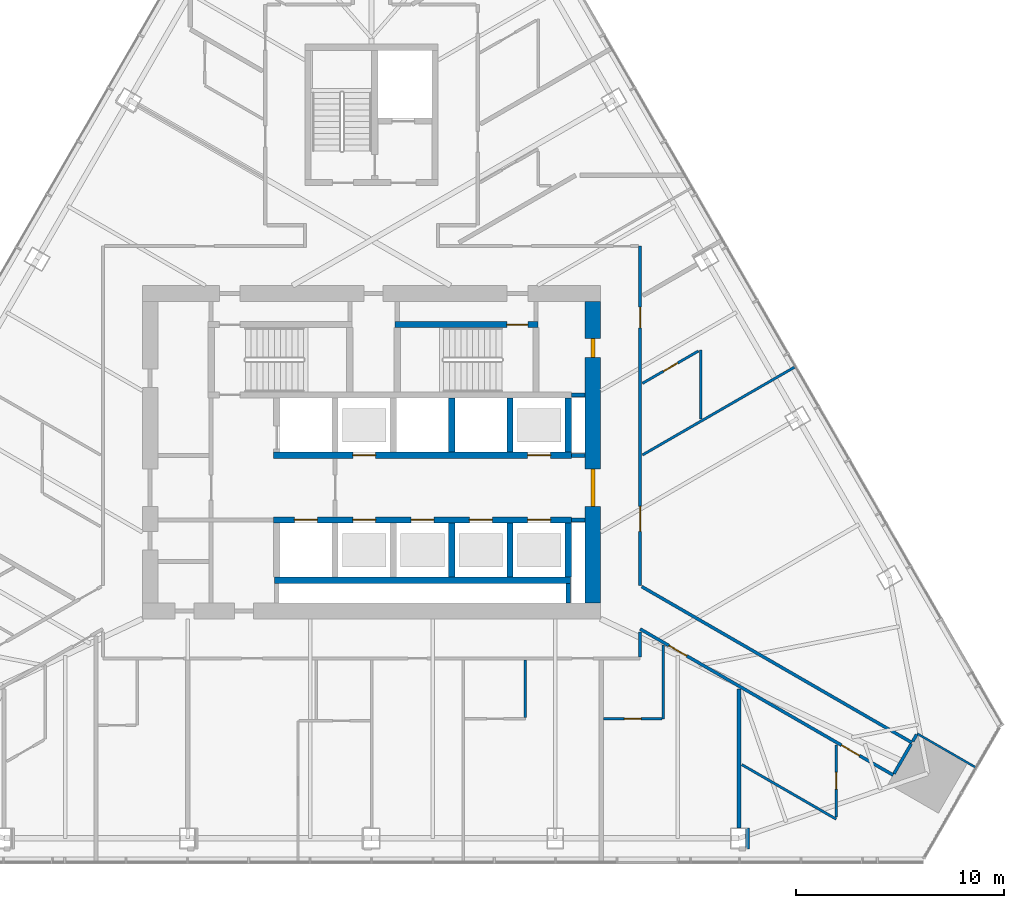
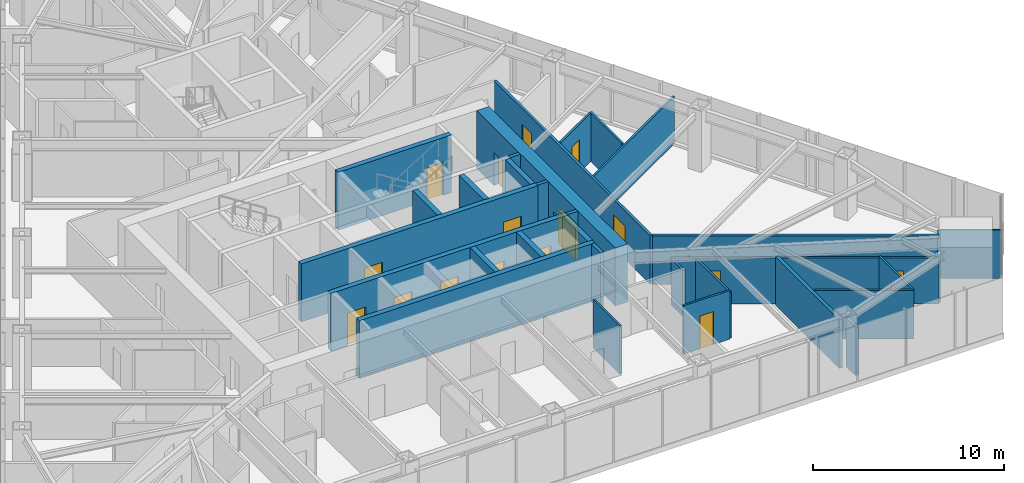
# One storey, part 15 of 19: 32 walls, 17 doors, 17 openings.
"""IFC4 building model written with IfcOpenShell, lengths in metres."""

from ifc_helpers import new_model, si_unit, direction, frame, frame_2d, origin, place, context, subcontext, project, spatial, rectangle, extrude, material, layer, layer_set, type_object, element, fill, save


model = new_model("IFC4")

# Units and contexts
model_context = context("Model", 3, precision=1e-05, world=origin(), true_north=direction((0.0, 1.0)))
body_context = subcontext(model_context, "Body", "Model", "MODEL_VIEW")
ifc_project = project(units=[si_unit("LENGTHUNIT", "METRE"), si_unit("AREAUNIT", "SQUARE_METRE"), si_unit("VOLUMEUNIT", "CUBIC_METRE"), si_unit("PLANEANGLEUNIT", "RADIAN"), si_unit("MASSUNIT", "GRAM", prefix="KILO")], contexts=[model_context])

# Site, building, storey
site_placement = place(None, origin())
site = spatial("IfcSite", under=ifc_project, at=site_placement, CompositionType="ELEMENT")
building_placement = place(site_placement, origin())
building = spatial("IfcBuilding", under=site, at=building_placement, Name="Firuza Gate Tower and Library", CompositionType="ELEMENT")
storey_placement = place(building_placement, frame((0.0, 0.0, 183.10009765625)))
storey = spatial("IfcBuildingStorey", under=building, at=storey_placement, Name="L42", CompositionType="ELEMENT", Elevation=183.10009765625)

# Walls
ifc_material_1 = material(Name="Plasterboard on steel studs", Category="steel")
ifc_layer_1 = layer(ifc_material_1, 0.199951171875)
ifc_layer_set_1 = layer_set([ifc_layer_1], Name="Core partition 200 EI 120")
wall_type_1 = type_object("IfcWallType", Name="Core partition 200 EI 120", PredefinedType="PARTITIONING", material=ifc_layer_set_1)
for number, where, z_axis, x_axis, name in (
    (1, (84.60009765625, 71.75, 0.0), (0.0, 0.0, 1.0), (1.0, 0.0, 0.0), "Core partition L42 3"),
    (2, (84.60009765625, 74.85009765625, 0.0), (0.0, 0.0, 1.0), (1.0, 0.0, 0.0), "Core partition L42 5"),
    (3, (84.60009765625, 77.75, 0.0), (0.0, 0.0, 1.0), (1.0, 0.0, 0.0), "Core partition L42 6"),
):
    element("IfcWall", number, at=place(storey_placement, frame(where, z_axis=z_axis, x_axis=x_axis)), inside=storey, type_object=wall_type_1, Name=name, PredefinedType="PARTITIONING", context=body_context, shape_type="SweptSolid", body=[
        extrude(rectangle(XDim=0.64990234375, YDim=0.199951171875, at=frame_2d((0.324951171875, 0.0))), origin(), (0.0, 0.0, 1.0), 3.699951171875),
    ])
wall_1_placement = place(storey_placement, frame((84.449951171875, 67.75, 0.0), z_axis=(0.0, 0.0, 1.0), x_axis=(0.0, 1.0, 0.0)))
element("IfcWall", 4, at=wall_1_placement, inside=storey, type_object=wall_type_1, Name="Core partition L42 15", PredefinedType="PARTITIONING", context=body_context, shape_type="SweptSolid", body=[
    extrude(rectangle(XDim=0.949951171875, YDim=0.199951171875, at=frame_2d((0.47509765625, 0.0))), origin(), (0.0, 0.0, 1.0), 3.699951171875),
])
ifc_material_2 = material(Name="Concrete C80/95", Category="concrete")
ifc_layer_2 = layer(ifc_material_2, 0.300048828125)
ifc_layer_set_2 = layer_set([ifc_layer_2], Name="Core wall 300 C80/95")
wall_type_2 = type_object("IfcWallType", Name="Core wall 300 C80/95", PredefinedType="SHEAR", material=ifc_layer_set_2)
wall_2_placement = place(storey_placement, frame((70.35009765625, 68.85009765625, 0.0), z_axis=(0.0, 0.0, 1.0), x_axis=(1.0, 0.0, 0.0)))
element("IfcWall", 5, at=wall_2_placement, inside=storey, type_object=wall_type_2, Name="Core wall L42 5", PredefinedType="SHEAR", context=body_context, shape_type="SweptSolid", body=[
    extrude(rectangle(XDim=14.199951171875, YDim=0.300048828125, at=frame_2d((7.10009765625, 0.0))), origin(), (0.0, 0.0, 1.0), 3.699951171875),
])

# Wall, openings, doors
wall_3_placement = place(storey_placement, frame((70.300048828125, 71.75, 0.0), z_axis=(0.0, 0.0, 1.0), x_axis=(1.0, 0.0, 0.0)))
wall_3 = element("IfcWall", 6, at=wall_3_placement, inside=storey, type_object=wall_type_2, Name="Core wall L42 6", PredefinedType="SHEAR", context=body_context, shape_type="SweptSolid", body=[
    extrude(rectangle(XDim=14.300048828125, YDim=0.300048828125, at=frame_2d((7.14990234375, 0.0))), origin(), (0.0, 0.0, 1.0), 3.699951171875),
])
opening_1_placement = place(wall_3_placement, frame((1.0, 0.0, 0.0)))
opening_1 = element("IfcOpeningElement", 7, at=opening_1_placement, cuts=wall_3, Name="Opening LD-FF1-L42", PredefinedType="OPENING", context=body_context, shape_type="SweptSolid", body=[
    extrude(rectangle(XDim=1.10009765625, YDim=2.10009765625, at=frame_2d((0.550048828125, 1.050048828125))), frame((0.0, 0.16015625, 0.0), z_axis=(0.0, -1.0, 0.0), x_axis=(1.0, 0.0, 0.0)), (0.0, 0.0, 1.0), 0.320068359375),
])
opening_2_placement = place(wall_3_placement, frame((3.800048828125, 0.0, 0.0)))
opening_2 = element("IfcOpeningElement", 8, at=opening_2_placement, cuts=wall_3, Name="Opening LD-MR1-L42", PredefinedType="OPENING", context=body_context, shape_type="SweptSolid", body=[
    extrude(rectangle(XDim=1.10009765625, YDim=2.10009765625, at=frame_2d((0.550048828125, 1.050048828125))), frame((0.0, 0.16015625, 0.0), z_axis=(0.0, -1.0, 0.0), x_axis=(1.0, 0.0, 0.0)), (0.0, 0.0, 1.0), 0.320068359375),
])
opening_3_placement = place(wall_3_placement, frame((6.60009765625, 0.0, 0.0)))
opening_3 = element("IfcOpeningElement", 9, at=opening_3_placement, cuts=wall_3, Name="Opening LD-MR2-L42", PredefinedType="OPENING", context=body_context, shape_type="SweptSolid", body=[
    extrude(rectangle(XDim=1.10009765625, YDim=2.10009765625, at=frame_2d((0.550048828125, 1.050048828125))), frame((0.0, 0.16015625, 0.0), z_axis=(0.0, -1.0, 0.0), x_axis=(1.0, 0.0, 0.0)), (0.0, 0.0, 1.0), 0.320068359375),
])
opening_4_placement = place(wall_3_placement, frame((9.39990234375, 0.0, 0.0)))
opening_4 = element("IfcOpeningElement", 10, at=opening_4_placement, cuts=wall_3, Name="Opening LD-MR3-L42", PredefinedType="OPENING", context=body_context, shape_type="SweptSolid", body=[
    extrude(rectangle(XDim=1.10009765625, YDim=2.10009765625, at=frame_2d((0.550048828125, 1.050048828125))), frame((0.0, 0.16015625, 0.0), z_axis=(0.0, -1.0, 0.0), x_axis=(1.0, 0.0, 0.0)), (0.0, 0.0, 1.0), 0.320068359375),
])
opening_5_placement = place(wall_3_placement, frame((12.199951171875, 0.0, 0.0)))
opening_5 = element("IfcOpeningElement", 11, at=opening_5_placement, cuts=wall_3, Name="Opening LD-MR5-L42", PredefinedType="OPENING", context=body_context, shape_type="SweptSolid", body=[
    extrude(rectangle(XDim=1.10009765625, YDim=2.10009765625, at=frame_2d((0.550048828125, 1.050048828125))), frame((0.0, 0.16015625, 0.0), z_axis=(0.0, -1.0, 0.0), x_axis=(1.0, 0.0, 0.0)), (0.0, 0.0, 1.0), 0.320068359375),
])
ifc_material_3 = material(Name="Stainless steel", Category="steel")
door_type_1 = type_object("IfcDoorType", Name="Lift landing door 1100x2100", OperationType="DOUBLE_DOOR_SLIDING", PredefinedType="DOOR", material=ifc_material_3)
door_1_placement = place(opening_1_placement, origin())
door_1 = element("IfcDoor", 12, at=door_1_placement, inside=storey, type_object=door_type_1, Name="Landing door FF1 L42", OperationType="DOUBLE_DOOR_SLIDING", OverallHeight=2.10009765625, OverallWidth=1.10009765625, PredefinedType="DOOR", context=body_context, shape_type="SweptSolid", body=[
    extrude(rectangle(XDim=1.10009765625, YDim=2.10009765625, at=frame_2d((0.550048828125, 1.050048828125))), frame((0.0, 0.02490234375, 0.0), z_axis=(0.0, -1.0, 0.0), x_axis=(1.0, 0.0, 0.0)), (0.0, 0.0, 1.0), 0.050048828125),
])
fill(opening_1, door_1)
door_2_placement = place(opening_2_placement, origin())
door_2 = element("IfcDoor", 13, at=door_2_placement, inside=storey, type_object=door_type_1, Name="Landing door MR1 L42", OperationType="DOUBLE_DOOR_SLIDING", OverallHeight=2.10009765625, OverallWidth=1.10009765625, PredefinedType="DOOR", context=body_context, shape_type="SweptSolid", body=[
    extrude(rectangle(XDim=1.10009765625, YDim=2.10009765625, at=frame_2d((0.550048828125, 1.050048828125))), frame((0.0, 0.02490234375, 0.0), z_axis=(0.0, -1.0, 0.0), x_axis=(1.0, 0.0, 0.0)), (0.0, 0.0, 1.0), 0.050048828125),
])
fill(opening_2, door_2)
door_3_placement = place(opening_3_placement, origin())
door_3 = element("IfcDoor", 14, at=door_3_placement, inside=storey, type_object=door_type_1, Name="Landing door MR2 L42", OperationType="DOUBLE_DOOR_SLIDING", OverallHeight=2.10009765625, OverallWidth=1.10009765625, PredefinedType="DOOR", context=body_context, shape_type="SweptSolid", body=[
    extrude(rectangle(XDim=1.10009765625, YDim=2.10009765625, at=frame_2d((0.550048828125, 1.050048828125))), frame((0.0, 0.02490234375, 0.0), z_axis=(0.0, -1.0, 0.0), x_axis=(1.0, 0.0, 0.0)), (0.0, 0.0, 1.0), 0.050048828125),
])
fill(opening_3, door_3)
door_4_placement = place(opening_4_placement, origin())
door_4 = element("IfcDoor", 15, at=door_4_placement, inside=storey, type_object=door_type_1, Name="Landing door MR3 L42", OperationType="DOUBLE_DOOR_SLIDING", OverallHeight=2.10009765625, OverallWidth=1.10009765625, PredefinedType="DOOR", context=body_context, shape_type="SweptSolid", body=[
    extrude(rectangle(XDim=1.10009765625, YDim=2.10009765625, at=frame_2d((0.550048828125, 1.050048828125))), frame((0.0, 0.02490234375, 0.0), z_axis=(0.0, -1.0, 0.0), x_axis=(1.0, 0.0, 0.0)), (0.0, 0.0, 1.0), 0.050048828125),
])
fill(opening_4, door_4)
door_5_placement = place(opening_5_placement, origin())
door_5 = element("IfcDoor", 16, at=door_5_placement, inside=storey, type_object=door_type_1, Name="Landing door MR5 L42", OperationType="DOUBLE_DOOR_SLIDING", OverallHeight=2.10009765625, OverallWidth=1.10009765625, PredefinedType="DOOR", context=body_context, shape_type="SweptSolid", body=[
    extrude(rectangle(XDim=1.10009765625, YDim=2.10009765625, at=frame_2d((0.550048828125, 1.050048828125))), frame((0.0, 0.02490234375, 0.0), z_axis=(0.0, -1.0, 0.0), x_axis=(1.0, 0.0, 0.0)), (0.0, 0.0, 1.0), 0.050048828125),
])
fill(opening_5, door_5)

wall_4_placement = place(storey_placement, frame((70.300048828125, 74.85009765625, 0.0), z_axis=(0.0, 0.0, 1.0), x_axis=(1.0, 0.0, 0.0)))
wall_4 = element("IfcWall", 17, at=wall_4_placement, inside=storey, type_object=wall_type_2, Name="Core wall L42 7", PredefinedType="SHEAR", context=body_context, shape_type="SweptSolid", body=[
    extrude(rectangle(XDim=14.300048828125, YDim=0.300048828125, at=frame_2d((7.14990234375, 0.0))), origin(), (0.0, 0.0, 1.0), 3.699951171875),
])
opening_6_placement = place(wall_4_placement, frame((3.800048828125, 0.0, 0.0)))
opening_6 = element("IfcOpeningElement", 18, at=opening_6_placement, cuts=wall_4, Name="Opening LD-MR4-L42", PredefinedType="OPENING", context=body_context, shape_type="SweptSolid", body=[
    extrude(rectangle(XDim=1.10009765625, YDim=2.10009765625, at=frame_2d((0.550048828125, 1.050048828125))), frame((0.0, 0.16015625, 0.0), z_axis=(0.0, -1.0, 0.0), x_axis=(1.0, 0.0, 0.0)), (0.0, 0.0, 1.0), 0.320068359375),
])
opening_7_placement = place(wall_4_placement, frame((12.199951171875, 0.0, 0.0)))
opening_7 = element("IfcOpeningElement", 19, at=opening_7_placement, cuts=wall_4, Name="Opening LD-MR6-L42", PredefinedType="OPENING", context=body_context, shape_type="SweptSolid", body=[
    extrude(rectangle(XDim=1.10009765625, YDim=2.10009765625, at=frame_2d((0.550048828125, 1.050048828125))), frame((0.0, 0.16015625, 0.0), z_axis=(0.0, -1.0, 0.0), x_axis=(1.0, 0.0, 0.0)), (0.0, 0.0, 1.0), 0.320068359375),
])
door_6_placement = place(opening_6_placement, origin())
door_6 = element("IfcDoor", 20, at=door_6_placement, inside=storey, type_object=door_type_1, Name="Landing door MR4 L42", OperationType="DOUBLE_DOOR_SLIDING", OverallHeight=2.10009765625, OverallWidth=1.10009765625, PredefinedType="DOOR", context=body_context, shape_type="SweptSolid", body=[
    extrude(rectangle(XDim=1.10009765625, YDim=2.10009765625, at=frame_2d((0.550048828125, 1.050048828125))), frame((0.0, 0.02490234375, 0.0), z_axis=(0.0, -1.0, 0.0), x_axis=(1.0, 0.0, 0.0)), (0.0, 0.0, 1.0), 0.050048828125),
])
fill(opening_6, door_6)
door_7_placement = place(opening_7_placement, origin())
door_7 = element("IfcDoor", 21, at=door_7_placement, inside=storey, type_object=door_type_1, Name="Landing door MR6 L42", OperationType="DOUBLE_DOOR_SLIDING", OverallHeight=2.10009765625, OverallWidth=1.10009765625, PredefinedType="DOOR", context=body_context, shape_type="SweptSolid", body=[
    extrude(rectangle(XDim=1.10009765625, YDim=2.10009765625, at=frame_2d((0.550048828125, 1.050048828125))), frame((0.0, 0.02490234375, 0.0), z_axis=(0.0, -1.0, 0.0), x_axis=(1.0, 0.0, 0.0)), (0.0, 0.0, 1.0), 0.050048828125),
])
fill(opening_7, door_7)

# Walls
for number, where, z_axis, x_axis, name in (
    (22, (78.85009765625, 69.0, 0.0), (0.0, 0.0, 1.0), (0.0, 1.0, 0.0), "Core wall L42 14"),
    (23, (78.85009765625, 75.0, 0.0), (0.0, 0.0, 1.0), (0.0, 1.0, 0.0), "Core wall L42 15"),
    (24, (81.64990234375, 69.0, 0.0), (0.0, 0.0, 1.0), (0.0, 1.0, 0.0), "Core wall L42 16"),
    (25, (81.64990234375, 75.0, 0.0), (0.0, 0.0, 1.0), (0.0, 1.0, 0.0), "Core wall L42 17"),
    (26, (84.449951171875, 69.0, 0.0), (0.0, 0.0, 1.0), (0.0, 1.0, 0.0), "Core wall L42 18"),
    (27, (84.449951171875, 75.0, 0.0), (0.0, 0.0, 1.0), (0.0, 1.0, 0.0), "Core wall L42 19"),
):
    element("IfcWall", number, at=place(storey_placement, frame(where, z_axis=z_axis, x_axis=x_axis)), inside=storey, type_object=wall_type_2, Name=name, PredefinedType="SHEAR", context=body_context, shape_type="SweptSolid", body=[
        extrude(rectangle(XDim=2.60009765625, YDim=0.300048828125, at=frame_2d((1.300048828125, 0.0))), origin(), (0.0, 0.0, 1.0), 3.699951171875),
    ])

# Wall, opening, door
wall_5_placement = place(storey_placement, frame((76.139892578125, 81.1298828125, 0.0), z_axis=(0.0, 0.0, 1.0), x_axis=(1.0, 0.0, 0.0)))
wall_5 = element("IfcWall", 28, at=wall_5_placement, inside=storey, type_object=wall_type_2, Name="Core wall L42 22", PredefinedType="SHEAR", context=body_context, shape_type="SweptSolid", body=[
    extrude(rectangle(XDim=6.860107421875, YDim=0.300048828125, at=frame_2d((3.43017578125, 0.0))), origin(), (0.0, 0.0, 1.0), 3.699951171875),
])
opening_8_placement = place(wall_5_placement, frame((5.364990234375, 0.0, 0.0)))
opening_8 = element("IfcOpeningElement", 29, at=opening_8_placement, cuts=wall_5, Name="Opening L42-K13", PredefinedType="OPENING", context=body_context, shape_type="SweptSolid", body=[
    extrude(rectangle(XDim=1.0, YDim=2.10009765625, at=frame_2d((0.5, 1.050048828125))), frame((0.0, 0.16015625, 0.0), z_axis=(0.0, -1.0, 0.0), x_axis=(1.0, 0.0, 0.0)), (0.0, 0.0, 1.0), 0.320068359375),
])
ifc_material_4 = material(Name="Steel", Category="steel")
door_type_2 = type_object("IfcDoorType", Name="Fire door 1000x2100 FD90", OperationType="NOTDEFINED", PredefinedType="DOOR", material=ifc_material_4)
door_8_placement = place(opening_8_placement, origin())
door_8 = element("IfcDoor", 30, at=door_8_placement, inside=storey, type_object=door_type_2, Name="Door L42-K13", OperationType="SINGLE_SWING_RIGHT", OverallHeight=2.10009765625, OverallWidth=1.0, PredefinedType="DOOR", context=body_context, shape_type="SweptSolid", body=[
    extrude(rectangle(XDim=1.0, YDim=2.10009765625, at=frame_2d((0.5, 1.050048828125))), frame((0.0, 0.02490234375, 0.0), z_axis=(0.0, -1.0, 0.0), x_axis=(1.0, 0.0, 0.0)), (0.0, 0.0, 1.0), 0.050048828125),
])
fill(opening_8, door_8)

# Wall, openings, doors
ifc_material_5 = material(Name="Concrete C80/95", Category="concrete")
ifc_layer_3 = layer(ifc_material_5, 0.75)
ifc_layer_set_3 = layer_set([ifc_layer_3], Name="Core wall 750 C80/95")
wall_type_3 = type_object("IfcWallType", Name="Core wall 750 C80/95", PredefinedType="SHEAR", material=ifc_layer_set_3)
wall_6_placement = place(storey_placement, frame((85.625, 67.75, 0.0), z_axis=(0.0, 0.0, 1.0), x_axis=(0.0, 1.0, 0.0)))
wall_6 = element("IfcWall", 31, at=wall_6_placement, inside=storey, type_object=wall_type_3, Name="Core wall L42 4", PredefinedType="SHEAR", context=body_context, shape_type="SweptSolid", body=[
    extrude(rectangle(XDim=14.5, YDim=0.75, at=frame_2d((7.25, 0.0))), origin(), (0.0, 0.0, 1.0), 3.699951171875),
])
opening_9_placement = place(wall_6_placement, frame((4.64990234375, 0.0, 0.0)))
opening_9 = element("IfcOpeningElement", 32, at=opening_9_placement, cuts=wall_6, Name="Opening L42-K21", PredefinedType="OPENING", context=body_context, shape_type="SweptSolid", body=[
    extrude(rectangle(XDim=1.800048828125, YDim=2.10009765625, at=frame_2d((0.89990234375, 1.050048828125))), frame((0.0, 0.385009765625, 0.0), z_axis=(0.0, -1.0, 0.0), x_axis=(1.0, 0.0, 0.0)), (0.0, 0.0, 1.0), 0.77001953125),
])
opening_10_placement = place(wall_6_placement, frame((11.800048828125, 0.0, 0.0)))
opening_10 = element("IfcOpeningElement", 33, at=opening_10_placement, cuts=wall_6, Name="Opening L42-K27", PredefinedType="OPENING", context=body_context, shape_type="SweptSolid", body=[
    extrude(rectangle(XDim=0.89990234375, YDim=2.10009765625, at=frame_2d((0.449951171875, 1.050048828125))), frame((0.0, 0.385009765625, 0.0), z_axis=(0.0, -1.0, 0.0), x_axis=(1.0, 0.0, 0.0)), (0.0, 0.0, 1.0), 0.77001953125),
])
ifc_material_6 = material(Name="Steel", Category="steel")
door_type_3 = type_object("IfcDoorType", Name="Fire door 1800x2100 FD30S", OperationType="NOTDEFINED", PredefinedType="DOOR", material=ifc_material_6)
door_9_placement = place(opening_9_placement, origin())
door_9 = element("IfcDoor", 34, at=door_9_placement, inside=storey, type_object=door_type_3, Name="Door L42-K21", OperationType="SINGLE_SWING_RIGHT", OverallHeight=2.10009765625, OverallWidth=1.800048828125, PredefinedType="DOOR", context=body_context, shape_type="SweptSolid", body=[
    extrude(rectangle(XDim=1.800048828125, YDim=2.10009765625, at=frame_2d((0.89990234375, 1.050048828125))), frame((0.0, 0.094970703125, 0.0), z_axis=(0.0, -1.0, 0.0), x_axis=(1.0, 0.0, 0.0)), (0.0, 0.0, 1.0), 0.18994140625),
])
fill(opening_9, door_9)
ifc_material_7 = material(Name="Steel", Category="steel")
door_type_4 = type_object("IfcDoorType", Name="Fire door 900x2100 FD30S", OperationType="NOTDEFINED", PredefinedType="DOOR", material=ifc_material_7)
door_10_placement = place(opening_10_placement, origin())
door_10 = element("IfcDoor", 35, at=door_10_placement, inside=storey, type_object=door_type_4, Name="Door L42-K27", OperationType="SINGLE_SWING_RIGHT", OverallHeight=2.10009765625, OverallWidth=0.89990234375, PredefinedType="DOOR", context=body_context, shape_type="SweptSolid", body=[
    extrude(rectangle(XDim=0.89990234375, YDim=2.10009765625, at=frame_2d((0.449951171875, 1.050048828125))), frame((0.0, 0.094970703125, 0.0), z_axis=(0.0, -1.0, 0.0), x_axis=(1.0, 0.0, 0.0)), (0.0, 0.0, 1.0), 0.18994140625),
])
fill(opening_10, door_10)

# Walls
ifc_material_8 = material(Name="Gypsum board partition")
ifc_layer_4 = layer(ifc_material_8, 0.14990234375)
ifc_layer_set_4 = layer_set([ifc_layer_4], Name="Corridor wall 150 double board on steel studs")
wall_type_4 = type_object("IfcWallType", Name="Corridor wall 150 double board on steel studs", PredefinedType="PARTITIONING", material=ifc_layer_set_4)
wall_7_placement = place(storey_placement, frame((100.087890625, 59.5634765625, 0.0), z_axis=(0.0, 0.0, 1.0), x_axis=(0.500102515474, 0.865966208357, 0.0)))
element("IfcWall", 36, at=wall_7_placement, inside=storey, type_object=wall_type_4, Name="f:L42:w039", PredefinedType="PARTITIONING", context=body_context, shape_type="SweptSolid", body=[
    extrude(rectangle(XDim=1.649658203125, YDim=0.14990234375, at=frame_2d((0.82470703125, 0.0))), origin(), (0.0, 0.0, 1.0), 2.947021484375),
])
wall_8_placement = place(storey_placement, frame((87.89990234375, 65.175048828125, 0.0), z_axis=(0.0, 0.0, 1.0), x_axis=(0.0, 1.0, 0.0)))
element("IfcWall", 37, at=wall_8_placement, inside=storey, type_object=wall_type_4, Name="f:L42:w048", PredefinedType="PARTITIONING", context=body_context, shape_type="SweptSolid", body=[
    extrude(rectangle(XDim=1.201416015625, YDim=0.14990234375, at=frame_2d((0.6005859375, 0.0))), origin(), (0.0, 0.0, 1.0), 2.947021484375),
])

# Wall, openings, doors
wall_9_placement = place(storey_placement, frame((87.89990234375, 84.89990234375, 0.0), z_axis=(0.0, 0.0, 1.0), x_axis=(0.0, -1.0, 0.0)))
wall_9 = element("IfcWall", 38, at=wall_9_placement, inside=storey, type_object=wall_type_4, Name="f:L42:w049", PredefinedType="PARTITIONING", context=body_context, shape_type="SweptSolid", body=[
    extrude(rectangle(XDim=16.308349609375, YDim=0.14990234375, at=frame_2d((8.154296875, 0.0))), origin(), (0.0, 0.0, 1.0), 3.099853515625),
])
opening_11_placement = place(wall_9_placement, frame((2.93017578125, 0.0, 0.0)))
opening_11 = element("IfcOpeningElement", 39, at=opening_11_placement, cuts=wall_9, Name="Opening L42-25", PredefinedType="OPENING", context=body_context, shape_type="SweptSolid", body=[
    extrude(rectangle(XDim=1.0, YDim=2.10009765625, at=frame_2d((0.5, 1.050048828125))), frame((0.0, 0.0849609375, 0.0), z_axis=(0.0, -1.0, 0.0), x_axis=(1.0, 0.0, 0.0)), (0.0, 0.0, 1.0), 0.169921875),
])
opening_12_placement = place(wall_9_placement, frame((12.49951171875, 0.0, 0.0)))
opening_12 = element("IfcOpeningElement", 40, at=opening_12_placement, cuts=wall_9, Name="Opening L42-26", PredefinedType="OPENING", context=body_context, shape_type="SweptSolid", body=[
    extrude(rectangle(XDim=1.199951171875, YDim=2.10009765625, at=frame_2d((0.60009765625, 1.050048828125))), frame((0.0, 0.0849609375, 0.0), z_axis=(0.0, -1.0, 0.0), x_axis=(1.0, 0.0, 0.0)), (0.0, 0.0, 1.0), 0.169921875),
])
ifc_material_9 = material(Name="Steel door and timber leaf", Category="steel")
door_type_5 = type_object("IfcDoorType", Name="Fire door 1000 x 2100 steel frame, timber leaf", OperationType="NOTDEFINED", PredefinedType="DOOR", material=ifc_material_9)
door_11_placement = place(opening_11_placement, origin())
door_11 = element("IfcDoor", 41, at=door_11_placement, inside=storey, type_object=door_type_5, Name="f:L42:d025", OperationType="SINGLE_SWING_LEFT", OverallHeight=2.10009765625, OverallWidth=1.0, PredefinedType="DOOR", context=body_context, shape_type="SweptSolid", body=[
    extrude(rectangle(XDim=1.0, YDim=2.10009765625, at=frame_2d((0.5, 1.050048828125))), frame((0.0, 0.02490234375, 0.0), z_axis=(0.0, -1.0, 0.0), x_axis=(1.0, 0.0, 0.0)), (0.0, 0.0, 1.0), 0.050048828125),
])
fill(opening_11, door_11)
ifc_material_10 = material(Name="Steel door and timber leaf", Category="steel")
door_type_6 = type_object("IfcDoorType", Name="Fire door 1200 x 2100 steel frame, double leaf", OperationType="NOTDEFINED", PredefinedType="DOOR", material=ifc_material_10)
door_12_placement = place(opening_12_placement, origin())
door_12 = element("IfcDoor", 42, at=door_12_placement, inside=storey, type_object=door_type_6, Name="f:L42:d026", OperationType="DOUBLE_DOOR_SINGLE_SWING", OverallHeight=2.10009765625, OverallWidth=1.199951171875, PredefinedType="DOOR", context=body_context, shape_type="SweptSolid", body=[
    extrude(rectangle(XDim=1.199951171875, YDim=2.10009765625, at=frame_2d((0.60009765625, 1.050048828125))), frame((0.0, 0.02490234375, 0.0), z_axis=(0.0, -1.0, 0.0), x_axis=(1.0, 0.0, 0.0)), (0.0, 0.0, 1.0), 0.050048828125),
])
fill(opening_12, door_12)

# Wall
wall_10_placement = place(storey_placement, frame((100.9501953125, 61.056884765625, 0.0), z_axis=(0.0, 0.0, 1.0), x_axis=(-0.866024397638, 0.500001742692, 0.0)))
element("IfcWall", 43, at=wall_10_placement, inside=storey, type_object=wall_type_4, Name="f:L42:w091", PredefinedType="PARTITIONING", context=body_context, shape_type="SweptSolid", body=[
    extrude(rectangle(XDim=14.982421875, YDim=0.14990234375, at=frame_2d((7.4912109375, 0.0))), origin(), (0.0, 0.0, 1.0), 3.099853515625),
])

# Wall, openings, doors
wall_11_placement = place(storey_placement, frame((100.0498046875, 59.498291015625, 0.0), z_axis=(0.0, 0.0, 1.0), x_axis=(-0.866024169077, 0.50000213857, 0.0)))
wall_11 = element("IfcWall", 44, at=wall_11_placement, inside=storey, type_object=wall_type_4, Name="f:L42:w092", PredefinedType="PARTITIONING", context=body_context, shape_type="SweptSolid", body=[
    extrude(rectangle(XDim=14.029296875, YDim=0.14990234375, at=frame_2d((7.0146484375, 0.0))), origin(), (0.0, 0.0, 1.0), 2.947021484375),
])
opening_13_placement = place(wall_11_placement, frame((1.8701171875, 0.0, 0.0)))
opening_13 = element("IfcOpeningElement", 45, at=opening_13_placement, cuts=wall_11, Name="Opening L42-39", PredefinedType="OPENING", context=body_context, shape_type="SweptSolid", body=[
    extrude(rectangle(XDim=1.0, YDim=2.10009765625, at=frame_2d((0.5, 1.050048828125))), frame((0.0, 0.0849609375, 0.0), z_axis=(0.0, -1.0, 0.0), x_axis=(1.0, 0.0, 0.0)), (0.0, 0.0, 1.0), 0.169921875),
])
opening_14_placement = place(wall_11_placement, frame((11.4365234375, 0.0, 0.0)))
opening_14 = element("IfcOpeningElement", 46, at=opening_14_placement, cuts=wall_11, Name="Opening L42-40", PredefinedType="OPENING", context=body_context, shape_type="SweptSolid", body=[
    extrude(rectangle(XDim=1.0, YDim=2.10009765625, at=frame_2d((0.5, 1.050048828125))), frame((0.0, 0.0849609375, 0.0), z_axis=(0.0, -1.0, 0.0), x_axis=(1.0, 0.0, 0.0)), (0.0, 0.0, 1.0), 0.169921875),
])
door_13_placement = place(opening_13_placement, origin())
door_13 = element("IfcDoor", 47, at=door_13_placement, inside=storey, type_object=door_type_5, Name="f:L42:d039", OperationType="SINGLE_SWING_LEFT", OverallHeight=2.10009765625, OverallWidth=1.0, PredefinedType="DOOR", context=body_context, shape_type="SweptSolid", body=[
    extrude(rectangle(XDim=1.0, YDim=2.10009765625, at=frame_2d((0.5, 1.050048828125))), frame((0.0, 0.02490234375, 0.0), z_axis=(0.0, -1.0, 0.0), x_axis=(1.0, 0.0, 0.0)), (0.0, 0.0, 1.0), 0.050048828125),
])
fill(opening_13, door_13)
door_14_placement = place(opening_14_placement, origin())
door_14 = element("IfcDoor", 48, at=door_14_placement, inside=storey, type_object=door_type_5, Name="f:L42:d040", OperationType="SINGLE_SWING_LEFT", OverallHeight=2.10009765625, OverallWidth=1.0, PredefinedType="DOOR", context=body_context, shape_type="SweptSolid", body=[
    extrude(rectangle(XDim=1.0, YDim=2.10009765625, at=frame_2d((0.5, 1.050048828125))), frame((0.0, 0.02490234375, 0.0), z_axis=(0.0, -1.0, 0.0), x_axis=(1.0, 0.0, 0.0)), (0.0, 0.0, 1.0), 0.050048828125),
])
fill(opening_14, door_14)

# Walls
wall_12_placement = place(storey_placement, frame((100.98779296875, 61.121826171875, 0.0), z_axis=(0.0, 0.0, 1.0), x_axis=(0.500136362069, 0.865946660792, 0.0)))
element("IfcWall", 49, at=wall_12_placement, inside=storey, type_object=wall_type_4, Name="f:L42:w104", PredefinedType="PARTITIONING", context=body_context, shape_type="SweptSolid", body=[
    extrude(rectangle(XDim=0.37451171875, YDim=0.14990234375, at=frame_2d((0.187255859375, 0.0))), origin(), (0.0, 0.0, 1.0), 3.099853515625),
])
ifc_material_11 = material(Name="Gypsum board partition")
ifc_layer_5 = layer(ifc_material_11, 0.199951171875)
ifc_layer_set_5 = layer_set([ifc_layer_5], Name="Demising wall 200 acoustic double stud")
wall_type_5 = type_object("IfcWallType", Name="Demising wall 200 acoustic double stud", PredefinedType="PARTITIONING", material=ifc_layer_set_5)
wall_13_placement = place(storey_placement, frame((93.048095703125, 55.960205078125, 0.0), z_axis=(0.0, 0.0, 1.0), x_axis=(0.0, 1.0, 0.0)))
element("IfcWall", 50, at=wall_13_placement, inside=storey, type_object=wall_type_5, Name="f:L42:w044", PredefinedType="PARTITIONING", context=body_context, shape_type="SweptSolid", body=[
    extrude(rectangle(XDim=0.9990234375, YDim=0.199951171875, at=frame_2d((0.49951171875, 0.0))), origin(), (0.0, 0.0, 1.0), 3.099853515625),
])
wall_14_placement = place(storey_placement, frame((92.64794921875, 56.959716796875, 0.0), z_axis=(0.0, 0.0, 1.0), x_axis=(0.0, 1.0, 0.0)))
element("IfcWall", 51, at=wall_14_placement, inside=storey, type_object=wall_type_5, Name="f:L42:w045", PredefinedType="PARTITIONING", context=body_context, shape_type="SweptSolid", body=[
    extrude(rectangle(XDim=6.66552734375, YDim=0.199951171875, at=frame_2d((3.332763671875, 0.0))), origin(), (0.0, 0.0, 1.0), 3.099853515625),
])
ifc_material_12 = material(Name="Gypsum board partition")
ifc_layer_6 = layer(ifc_material_12, 0.10009765625)
ifc_layer_set_6 = layer_set([ifc_layer_6], Name="Partition 100 gypsum board on steel studs")
wall_type_6 = type_object("IfcWallType", Name="Partition 100 gypsum board on steel studs", PredefinedType="PARTITIONING", material=ifc_layer_set_6)
wall_15_placement = place(storey_placement, frame((104.023681640625, 59.85986328125, 0.0), z_axis=(0.0, 0.0, 1.0), x_axis=(-0.866022198381, 0.50000555188, 0.0)))
element("IfcWall", 52, at=wall_15_placement, inside=storey, type_object=wall_type_6, Name="f:L42:w090", PredefinedType="PARTITIONING", context=body_context, shape_type="SweptSolid", body=[
    extrude(rectangle(XDim=3.259765625, YDim=0.10009765625, at=frame_2d((1.6298828125, 0.0))), origin(), (0.0, 0.0, 1.0), 3.099853515625),
])

# Wall, opening, door
ifc_material_13 = material(Name="Gypsum board partition")
ifc_layer_7 = layer(ifc_material_13, 0.1201171875)
ifc_layer_set_7 = layer_set([ifc_layer_7], Name="Wet-area partition 120 moisture-resistant board")
wall_type_7 = type_object("IfcWallType", Name="Wet-area partition 120 moisture-resistant board", PredefinedType="PARTITIONING", material=ifc_layer_set_7)
wall_16_placement = place(storey_placement, frame((86.139892578125, 62.199951171875, 0.0), z_axis=(0.0, 0.0, 1.0), x_axis=(1.0, 0.0, 0.0)))
wall_16 = element("IfcWall", 53, at=wall_16_placement, inside=storey, type_object=wall_type_7, Name="f:L42:w008", PredefinedType="PARTITIONING", context=body_context, shape_type="SweptSolid", body=[
    extrude(rectangle(XDim=2.807861328125, YDim=0.1201171875, at=frame_2d((1.40380859375, 0.0))), origin(), (0.0, 0.0, 1.0), 3.099853515625),
])
opening_15_placement = place(wall_16_placement, frame((1.00390625, 0.0, 0.0)))
opening_15 = element("IfcOpeningElement", 54, at=opening_15_placement, cuts=wall_16, Name="Opening L42-04", PredefinedType="OPENING", context=body_context, shape_type="SweptSolid", body=[
    extrude(rectangle(XDim=0.800048828125, YDim=2.10009765625, at=frame_2d((0.39990234375, 1.050048828125))), frame((0.0, 0.070068359375, 0.0), z_axis=(0.0, -1.0, 0.0), x_axis=(1.0, 0.0, 0.0)), (0.0, 0.0, 1.0), 0.14013671875),
])
ifc_material_14 = material(Name="Timber door", Category="wood")
door_type_7 = type_object("IfcDoorType", Name="Door 800 x 2100 timber leaf", OperationType="NOTDEFINED", PredefinedType="DOOR", material=ifc_material_14)
door_15_placement = place(opening_15_placement, origin())
door_15 = element("IfcDoor", 55, at=door_15_placement, inside=storey, type_object=door_type_7, Name="f:L42:d004", OperationType="SINGLE_SWING_RIGHT", OverallHeight=2.10009765625, OverallWidth=0.800048828125, PredefinedType="DOOR", context=body_context, shape_type="SweptSolid", body=[
    extrude(rectangle(XDim=0.800048828125, YDim=2.10009765625, at=frame_2d((0.39990234375, 1.050048828125))), frame((0.0, 0.02490234375, 0.0), z_axis=(0.0, -1.0, 0.0), x_axis=(1.0, 0.0, 0.0)), (0.0, 0.0, 1.0), 0.050048828125),
])
fill(opening_15, door_15)

# Wall
wall_17_placement = place(storey_placement, frame((88.009765625, 74.869384765625, 0.0), z_axis=(0.0, 0.0, 1.0), x_axis=(0.866017924271, 0.500012954673, 0.0)))
element("IfcWall", 56, at=wall_17_placement, inside=storey, type_object=wall_type_7, Name="f:L42:w020", PredefinedType="PARTITIONING", context=body_context, shape_type="SweptSolid", body=[
    extrude(rectangle(XDim=8.438720703125, YDim=0.1201171875, at=frame_2d((4.21923828125, 0.0))), origin(), (0.0, 0.0, 1.0), 3.02197265625),
])

# Wall, opening, door
wall_18_placement = place(storey_placement, frame((90.705322265625, 79.864501953125, 0.0), z_axis=(0.0, 0.0, 1.0), x_axis=(-0.866009247561, -0.500027982357, 0.0)))
wall_18 = element("IfcWall", 57, at=wall_18_placement, inside=storey, type_object=wall_type_7, Name="f:L42:w023", PredefinedType="PARTITIONING", context=body_context, shape_type="SweptSolid", body=[
    extrude(rectangle(XDim=3.112548828125, YDim=0.1201171875, at=frame_2d((1.55615234375, 0.0))), origin(), (0.0, 0.0, 1.0), 3.099853515625),
])
opening_16_placement = place(wall_18_placement, frame((1.156494140625, 0.0, 0.0)))
opening_16 = element("IfcOpeningElement", 58, at=opening_16_placement, cuts=wall_18, Name="Opening L42-14", PredefinedType="OPENING", context=body_context, shape_type="SweptSolid", body=[
    extrude(rectangle(XDim=0.800048828125, YDim=2.10009765625, at=frame_2d((0.39990234375, 1.050048828125))), frame((0.0, 0.070068359375, 0.0), z_axis=(0.0, -1.0, 0.0), x_axis=(1.0, 0.0, 0.0)), (0.0, 0.0, 1.0), 0.14013671875),
])
door_16_placement = place(opening_16_placement, origin())
door_16 = element("IfcDoor", 59, at=door_16_placement, inside=storey, type_object=door_type_7, Name="f:L42:d014", OperationType="SINGLE_SWING_RIGHT", OverallHeight=2.10009765625, OverallWidth=0.800048828125, PredefinedType="DOOR", context=body_context, shape_type="SweptSolid", body=[
    extrude(rectangle(XDim=0.800048828125, YDim=2.10009765625, at=frame_2d((0.39990234375, 1.050048828125))), frame((0.0, 0.02490234375, 0.0), z_axis=(0.0, -1.0, 0.0), x_axis=(1.0, 0.0, 0.0)), (0.0, 0.0, 1.0), 0.050048828125),
])
fill(opening_16, door_16)

wall_19_placement = place(storey_placement, frame((97.31201171875, 57.493408203125, 0.0), z_axis=(0.0, 0.0, 1.0), x_axis=(0.0, 1.0, 0.0)))
wall_19 = element("IfcWall", 60, at=wall_19_placement, inside=storey, type_object=wall_type_7, Name="f:L42:w043", PredefinedType="PARTITIONING", context=body_context, shape_type="SweptSolid", body=[
    extrude(rectangle(XDim=3.459228515625, YDim=0.1201171875, at=frame_2d((1.7294921875, 0.0))), origin(), (0.0, 0.0, 1.0), 3.099853515625),
])
opening_17_placement = place(wall_19_placement, frame((1.32958984375, 0.0, 0.0)))
opening_17 = element("IfcOpeningElement", 61, at=opening_17_placement, cuts=wall_19, Name="Opening L42-24", PredefinedType="OPENING", context=body_context, shape_type="SweptSolid", body=[
    extrude(rectangle(XDim=0.800048828125, YDim=2.10009765625, at=frame_2d((0.39990234375, 1.050048828125))), frame((0.0, 0.070068359375, 0.0), z_axis=(0.0, -1.0, 0.0), x_axis=(1.0, 0.0, 0.0)), (0.0, 0.0, 1.0), 0.14013671875),
])
door_17_placement = place(opening_17_placement, origin())
door_17 = element("IfcDoor", 62, at=door_17_placement, inside=storey, type_object=door_type_7, Name="f:L42:d024", OperationType="SINGLE_SWING_RIGHT", OverallHeight=2.10009765625, OverallWidth=0.800048828125, PredefinedType="DOOR", context=body_context, shape_type="SweptSolid", body=[
    extrude(rectangle(XDim=0.800048828125, YDim=2.10009765625, at=frame_2d((0.39990234375, 1.050048828125))), frame((0.0, 0.02490234375, 0.0), z_axis=(0.0, -1.0, 0.0), x_axis=(1.0, 0.0, 0.0)), (0.0, 0.0, 1.0), 0.050048828125),
])
fill(opening_17, door_17)

# Walls
wall_20_placement = place(storey_placement, frame((90.800048828125, 76.58984375, 0.0), z_axis=(0.0, 0.0, 1.0), x_axis=(0.0, 1.0, 0.0)))
element("IfcWall", 63, at=wall_20_placement, inside=storey, type_object=wall_type_7, Name="f:L42:w046", PredefinedType="PARTITIONING", context=body_context, shape_type="SweptSolid", body=[
    extrude(rectangle(XDim=3.329345703125, YDim=0.1201171875, at=frame_2d((1.66455078125, 0.0))), origin(), (0.0, 0.0, 1.0), 3.099853515625),
])
wall_21_placement = place(storey_placement, frame((89.008056640625, 62.199951171875, 0.0), z_axis=(0.0, 0.0, 1.0), x_axis=(0.0, 1.0, 0.0)))
element("IfcWall", 64, at=wall_21_placement, inside=storey, type_object=wall_type_7, Name="f:L42:w047", PredefinedType="PARTITIONING", context=body_context, shape_type="SweptSolid", body=[
    extrude(rectangle(XDim=3.546875, YDim=0.1201171875, at=frame_2d((1.7734375, 0.0))), origin(), (0.0, 0.0, 1.0), 2.947021484375),
])
wall_22_placement = place(storey_placement, frame((82.389892578125, 62.260009765625, 0.0), z_axis=(0.0, 0.0, 1.0), x_axis=(0.0, 1.0, 0.0)))
element("IfcWall", 65, at=wall_22_placement, inside=storey, type_object=wall_type_7, Name="f:L42:w053", PredefinedType="PARTITIONING", context=body_context, shape_type="SweptSolid", body=[
    extrude(rectangle(XDim=2.764892578125, YDim=0.1201171875, at=frame_2d((1.38232421875, 0.0))), origin(), (0.0, 0.0, 1.0), 3.099853515625),
])
wall_23_placement = place(storey_placement, frame((97.3115234375, 57.38427734375, 0.0), z_axis=(0.0, 0.0, 1.0), x_axis=(-0.866013777185, 0.50002013732, 0.0)))
element("IfcWall", 66, at=wall_23_placement, inside=storey, type_object=wall_type_7, Name="f:L42:w093", PredefinedType="PARTITIONING", context=body_context, shape_type="SweptSolid", body=[
    extrude(rectangle(XDim=5.229736328125, YDim=0.1201171875, at=frame_2d((2.61474609375, 0.0))), origin(), (0.0, 0.0, 1.0), 3.099853515625),
])

save(model, "model.ifc")
